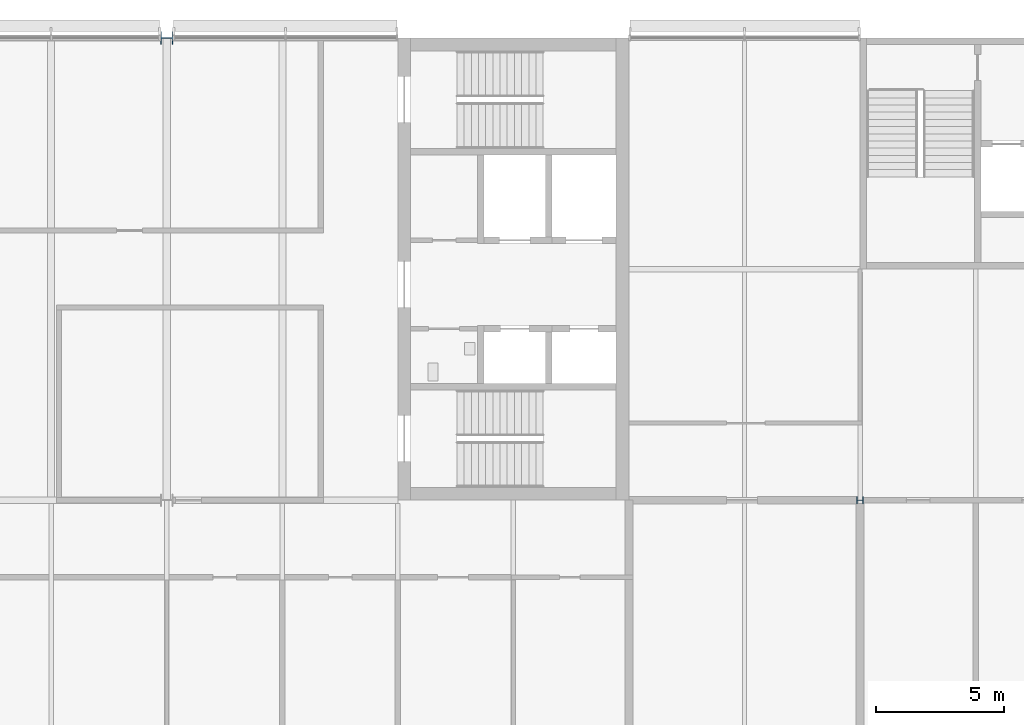
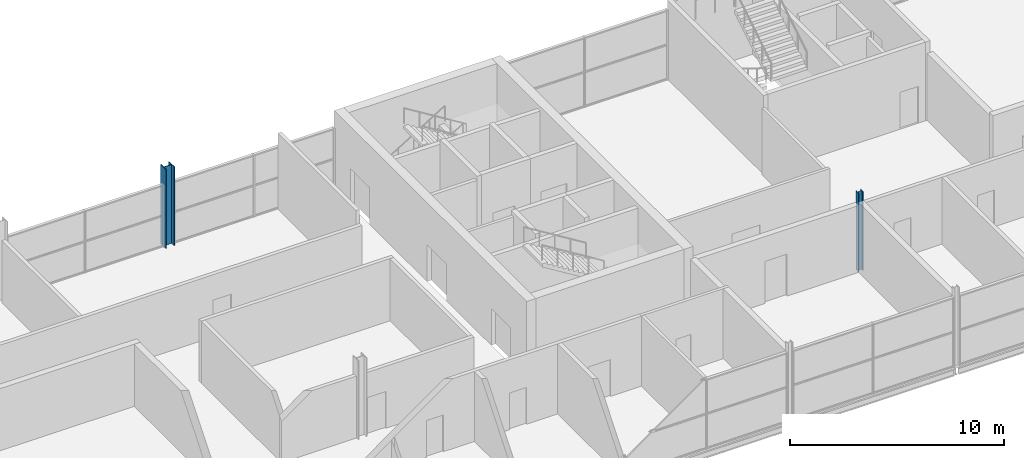
# One storey, part 15 of 138: 2 columns.
"""IFC4 building model written with IfcOpenShell, lengths in metres."""

from ifc_helpers import new_model, si_unit, direction, frame, origin, origin_2d, place, context, subcontext, project, spatial, i_section, extrude, material, material_profile, profile_set, type_object, element, save


model = new_model("IFC4")

# Units and contexts
model_context = context("Model", 3, precision=1e-05, world=origin(), true_north=direction((0.0, 1.0)))
body_context = subcontext(model_context, "Body", "Model", "MODEL_VIEW")
ifc_project = project(units=[si_unit("LENGTHUNIT", "METRE"), si_unit("AREAUNIT", "SQUARE_METRE"), si_unit("VOLUMEUNIT", "CUBIC_METRE"), si_unit("PLANEANGLEUNIT", "RADIAN"), si_unit("MASSUNIT", "GRAM", prefix="KILO")], contexts=[model_context])

# Site, building, storey
site_placement = place(None, origin())
site = spatial("IfcSite", under=ifc_project, at=site_placement, CompositionType="ELEMENT")
building_placement = place(site_placement, origin())
building = spatial("IfcBuilding", under=site, at=building_placement, Name="Corbel Yard City Hall", CompositionType="ELEMENT")
storey_placement = place(building_placement, frame((0.0, 0.0, 10.5)))
storey = spatial("IfcBuildingStorey", under=building, at=storey_placement, Name="L02", CompositionType="ELEMENT", Elevation=10.5)

# Columns
ifc_material_1 = material(Name="Steel Grade 300 (300 MPa yield)", Category="steel")
ifc_material_profile_1 = material_profile(ifc_material_1, i_section(OverallWidth=0.256103515625, OverallDepth=0.260009765625, WebThickness=0.010498046875, FlangeThickness=0.017333984375, at=origin_2d()), Name="250UC89.5")
ifc_profile_set_1 = profile_set([ifc_material_profile_1], Name="Steel Grade 300 (300 MPa yield)")
column_type_1 = type_object("IfcColumnType", Name="Column 250UC89.5", PredefinedType="COLUMN", material=ifc_profile_set_1)
column_1_placement = place(storey_placement, frame((63.0, 99.0, 0.0), z_axis=(0.0, 0.0, 1.0), x_axis=(0.0, 1.0, 0.0)))
element("IfcColumn", 1, at=column_1_placement, inside=storey, type_object=column_type_1, Name="Column 250UC89.5 L/8 L02", PredefinedType="COLUMN", context=body_context, shape_type="SweptSolid", body=[
    extrude(i_section(OverallWidth=0.256103515625, OverallDepth=0.260009765625, WebThickness=0.010498046875, FlangeThickness=0.017333984375, at=origin_2d()), origin(), (0.0, 0.0, 1.0), 4.5),
])
ifc_material_2 = material(Name="Steel Grade 350", Category="steel")
ifc_material_profile_2 = material_profile(ifc_material_2, i_section(OverallWidth=0.5, OverallDepth=0.47998046875, WebThickness=0.0400390625, FlangeThickness=0.0400390625, at=origin_2d()), Name="500WC440")
ifc_profile_set_2 = profile_set([ifc_material_profile_2], Name="Steel Grade 350")
column_type_2 = type_object("IfcColumnType", Name="Column 500WC440", PredefinedType="COLUMN", material=ifc_profile_set_2)
column_2_placement = place(storey_placement, frame((36.0, 117.0, 0.0), z_axis=(0.0, 0.0, 1.0), x_axis=(0.0, 1.0, 0.0)))
element("IfcColumn", 2, at=column_2_placement, inside=storey, type_object=column_type_2, Name="Column 500WC440 N/5 L02", PredefinedType="COLUMN", context=body_context, shape_type="SweptSolid", body=[
    extrude(i_section(OverallWidth=0.5, OverallDepth=0.47998046875, WebThickness=0.0400390625, FlangeThickness=0.0400390625, at=origin_2d()), origin(), (0.0, 0.0, 1.0), 4.5),
])

save(model, "model.ifc")
